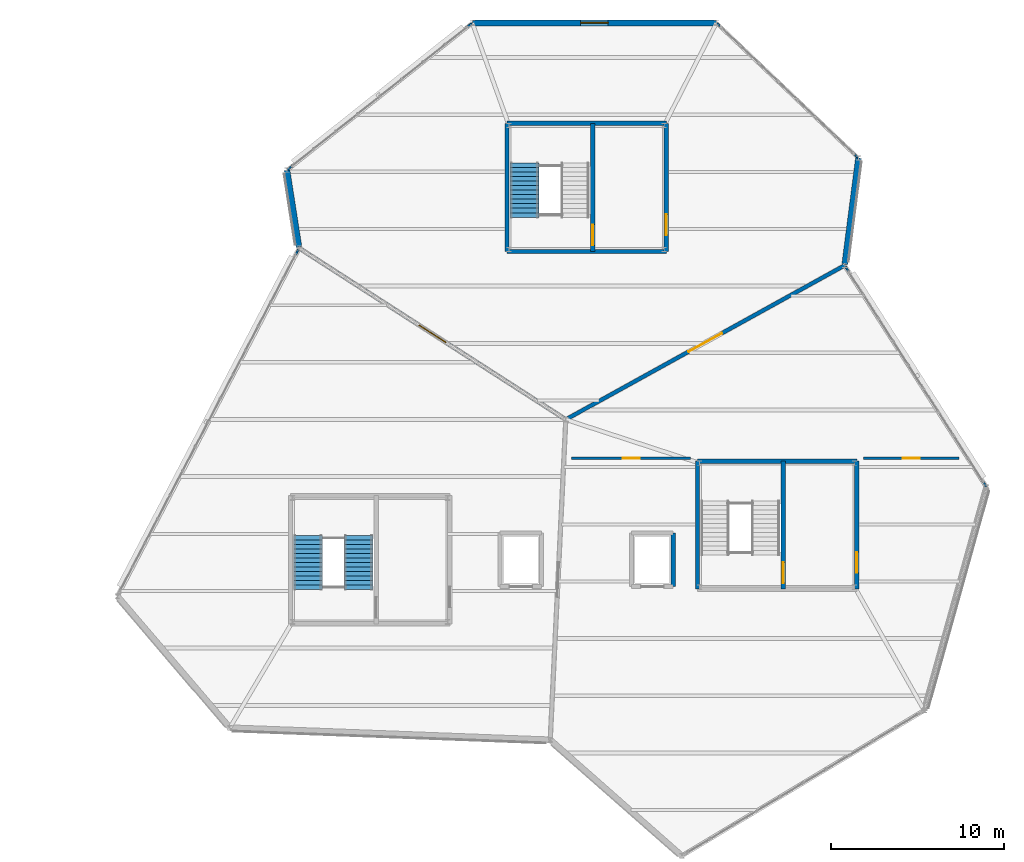
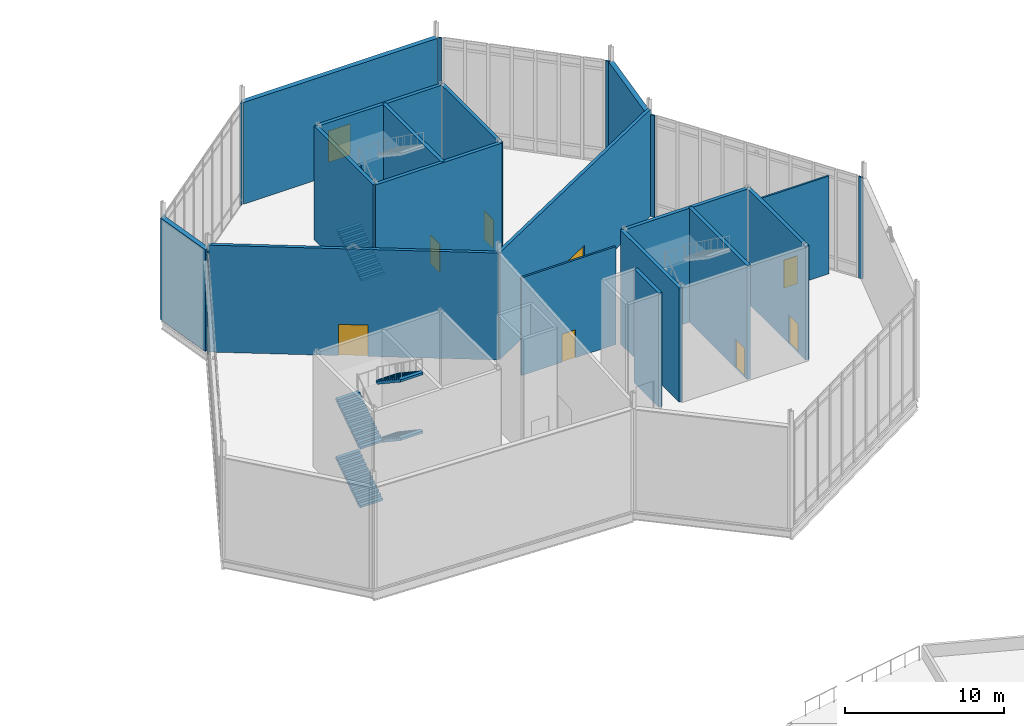
# One storey, part 60 of 66: 24 walls, 8 doors, 6 stair flights, 1 window, 9 openings, 2 elements without a shape of their own.
"""IFC4 building model written with IfcOpenShell, lengths in metres."""

from ifc_helpers import new_model, si_unit, direction, frame, frame_2d, origin, place, context, subcontext, project, spatial, polyline, rectangle, outline, extrude, material, layer, layer_set, type_object, element, fill, aggregate, save


model = new_model("IFC4")

# Units and contexts
model_context = context("Model", 3, precision=1e-05, world=origin(), true_north=direction((0.0, 1.0)))
body_context = subcontext(model_context, "Body", "Model", "MODEL_VIEW")
ifc_project = project(units=[si_unit("LENGTHUNIT", "METRE"), si_unit("AREAUNIT", "SQUARE_METRE"), si_unit("VOLUMEUNIT", "CUBIC_METRE"), si_unit("PLANEANGLEUNIT", "RADIAN"), si_unit("MASSUNIT", "GRAM", prefix="KILO")], contexts=[model_context])

# Site, building, storey
site_placement = place(None, origin())
site = spatial("IfcSite", under=ifc_project, at=site_placement, CompositionType="ELEMENT")
building_placement = place(site_placement, origin())
building = spatial("IfcBuilding", under=site, at=building_placement, Name="Tameran Prism Museum", CompositionType="ELEMENT")
storey_placement = place(building_placement, frame((0.0, 0.0, 19.800048828125)))
storey = spatial("IfcBuildingStorey", under=building, at=storey_placement, Name="L04", CompositionType="ELEMENT", Elevation=19.800048828125)

# Walls
ifc_material_1 = material(Name="Precast Concrete N40 (40 MPa)", Category="concrete")
ifc_layer_1 = layer(ifc_material_1, 0.094970703125)
ifc_layer_set_1 = layer_set([ifc_layer_1])
wall_type_1 = type_object("IfcWallType", Name="EW-CLOS-095", PredefinedType="SOLIDWALL", material=ifc_layer_set_1)
wall_1_placement = place(storey_placement, frame((103.2099609375, 98.636962890625, 0.0), z_axis=(0.0, 0.0, 1.0), x_axis=(0.464243799771, 0.885707454171, 0.0)))
element("IfcWall", 1, at=wall_1_placement, inside=storey, type_object=wall_type_1, Name="Facade Corner Closure EW-0421", PredefinedType="SOLIDWALL", context=body_context, shape_type="SweptSolid", body=[
    extrude(rectangle(XDim=0.30810546875, YDim=0.094970703125, at=frame_2d((0.154052734375, 0.0))), origin(), (0.0, 0.0, 1.0), 7.820068359375),
])
for number, where, z_axis, x_axis, name in (
    (2, (134.955078125, 97.9150390625, 0.0), (0.0, 0.0, 1.0), (0.538155087301, -0.842845835258, 0.0), "Facade Corner Closure EW-0427"),
    (3, (142.910888671875, 85.4951171875, 0.0), (0.0, 0.0, 1.0), (0.538155087301, -0.842845835258, 0.0), "Facade Corner Closure EW-0428"),
):
    element("IfcWall", number, at=place(storey_placement, frame(where, z_axis=z_axis, x_axis=x_axis)), inside=storey, type_object=wall_type_1, Name=name, PredefinedType="SOLIDWALL", context=body_context, shape_type="SweptSolid", body=[
        extrude(rectangle(XDim=0.30859375, YDim=0.094970703125, at=frame_2d((0.154296875, 0.0))), origin(), (0.0, 0.0, 1.0), 7.820068359375),
    ])
for number, where, z_axis, x_axis, name in (
    (4, (127.530029296875, 111.970947265625, 0.0), (0.0, 0.0, 1.0), (0.726243974232, -0.687437044311, 0.0), "Facade Corner Closure EW-0430"),
    (5, (135.446044921875, 104.44091796875, 0.0), (0.0, 0.0, 1.0), (0.726243974232, -0.687437044311, 0.0), "Facade Corner Closure EW-0431"),
    (6, (102.73291015625, 103.52587890625, 0.0), (0.0, 0.0, 1.0), (0.782180115256, 0.623052379257, 0.0), "Facade Corner Closure EW-0433"),
):
    element("IfcWall", number, at=place(storey_placement, frame(where, z_axis=z_axis, x_axis=x_axis)), inside=storey, type_object=wall_type_1, Name=name, PredefinedType="SOLIDWALL", context=body_context, shape_type="SweptSolid", body=[
        extrude(rectangle(XDim=0.308349609375, YDim=0.094970703125, at=frame_2d((0.154296875, 0.0))), origin(), (0.0, 0.0, 1.0), 7.820068359375),
    ])
wall_2_placement = place(storey_placement, frame((113.1259765625, 111.781982421875, 0.0), z_axis=(0.0, 0.0, 1.0), x_axis=(0.781872503851, 0.6234383592, 0.0)))
element("IfcWall", 7, at=wall_2_placement, inside=storey, type_object=wall_type_1, Name="Facade Corner Closure EW-0434", PredefinedType="SOLIDWALL", context=body_context, shape_type="SweptSolid", body=[
    extrude(rectangle(XDim=0.30810546875, YDim=0.094970703125, at=frame_2d((0.154052734375, 0.0))), origin(), (0.0, 0.0, 1.0), 7.820068359375),
])
ifc_material_2 = material(Name="Precast Concrete N40 (40 MPa)", Category="concrete")
ifc_layer_2 = layer(ifc_material_2, 0.340087890625)
ifc_layer_set_2 = layer_set([ifc_layer_2])
wall_type_2 = type_object("IfcWallType", Name="EW-GAL-340", PredefinedType="SOLIDWALL", material=ifc_layer_set_2)
wall_3_placement = place(storey_placement, frame((135.699951171875, 104.199951171875, 0.0), z_axis=(0.0, 0.0, 1.0), x_axis=(-0.127911284164, -0.99178561362, 0.0)))
element("IfcWall", 8, at=wall_3_placement, inside=storey, type_object=wall_type_2, Name="Exterior Fluted Precast Wall EW-0429", PredefinedType="SOLIDWALL", context=body_context, shape_type="SweptSolid", body=[
    extrude(rectangle(XDim=6.191650390625, YDim=0.340087890625, at=frame_2d((3.095703125, 0.0))), origin(), (0.0, 0.0, 1.0), 7.820068359375),
])

# Wall, opening, window
wall_4_placement = place(storey_placement, frame((113.39990234375, 112.0, 0.0), z_axis=(0.0, 0.0, 1.0), x_axis=(1.0, 0.0, 0.0)))
wall_4 = element("IfcWall", 9, at=wall_4_placement, inside=storey, type_object=wall_type_2, Name="Exterior Fluted Precast Wall EW-0432", PredefinedType="SOLIDWALL", context=body_context, shape_type="SweptSolid", body=[
    extrude(rectangle(XDim=14.10009765625, YDim=0.340087890625, at=frame_2d((7.050048828125, 0.0))), origin(), (0.0, 0.0, 1.0), 7.820068359375),
])
opening_1_placement = place(wall_4_placement, frame((6.25, 0.0, 0.949951171875)))
opening_1 = element("IfcOpeningElement", 10, at=opening_1_placement, cuts=wall_4, Name="Opening W-011", PredefinedType="OPENING", context=body_context, shape_type="SweptSolid", body=[
    extrude(rectangle(XDim=1.60009765625, YDim=2.39990234375, at=frame_2d((0.800048828125, 1.199951171875))), frame((0.0, 0.179931640625, 0.0), z_axis=(0.0, -1.0, 0.0), x_axis=(1.0, 0.0, 0.0)), (0.0, 0.0, 1.0), 0.360107421875),
])
ifc_material_3 = material(Name="Cyclone Laminated Low-E Glass in 6063-T6 Frame", Category="glass")
window_type = type_object("IfcWindowType", Name="WIN-W11", PartitioningType="SINGLE_PANEL", PredefinedType="WINDOW", material=ifc_material_3)
window_placement = place(opening_1_placement, origin())
window = element("IfcWindow", 11, at=window_placement, inside=storey, type_object=window_type, Name="Solar-Shaded Window W-011", OverallHeight=2.39990234375, OverallWidth=1.60009765625, PartitioningType="SINGLE_PANEL", PredefinedType="WINDOW", context=body_context, shape_type="SweptSolid", body=[
    extrude(rectangle(XDim=1.60009765625, YDim=2.39990234375, at=frame_2d((0.800048828125, 1.199951171875))), frame((0.0, 0.030029296875, 0.0), z_axis=(0.0, -1.0, 0.0), x_axis=(1.0, 0.0, 0.0)), (0.0, 0.0, 1.0), 0.06005859375),
])
fill(opening_1, window)

# Wall
wall_5_placement = place(storey_placement, frame((103.39111328125, 99.05908203125, 0.0), z_axis=(0.0, 0.0, 1.0), x_axis=(-0.153783616147, 0.988104548823, 0.0)))
element("IfcWall", 12, at=wall_5_placement, inside=storey, type_object=wall_type_2, Name="Exterior Fluted Precast Wall EW-0435", PredefinedType="SOLIDWALL", context=body_context, shape_type="SweptSolid", body=[
    extrude(rectangle(XDim=4.494384765625, YDim=0.340087890625, at=frame_2d((2.2470703125, 0.0))), origin(), (0.0, 0.0, 1.0), 7.820068359375),
])

# Wall, opening, door
ifc_material_4 = material(Name="Concrete N40 (40 MPa)", Category="concrete")
ifc_layer_3 = layer(ifc_material_4, 0.22509765625)
ifc_layer_set_3 = layer_set([ifc_layer_3])
wall_type_3 = type_object("IfcWallType", Name="IW-CMP-225", PredefinedType="SOLIDWALL", material=ifc_layer_set_3)
wall_6_placement = place(storey_placement, frame((118.800048828125, 89.10009765625, 0.0), z_axis=(0.0, 0.0, 1.0), x_axis=(-0.841183241423, 0.540750177392, 0.0)))
wall_6 = element("IfcWall", 13, at=wall_6_placement, inside=storey, type_object=wall_type_3, Name="Compartment Wall IW-0153", PredefinedType="SOLIDWALL", context=body_context, shape_type="SweptSolid", body=[
    extrude(rectangle(XDim=18.3076171875, YDim=0.22509765625, at=frame_2d((9.15380859375, 0.0))), origin(), (0.0, 0.0, 1.0), 8.219970703125),
])
opening_2_placement = place(wall_6_placement, frame((8.22900390625, 0.0, 0.0)))
opening_2 = element("IfcOpeningElement", 14, at=opening_2_placement, cuts=wall_6, Name="Opening ID-0152", PredefinedType="OPENING", context=body_context, shape_type="SweptSolid", body=[
    extrude(rectangle(XDim=1.85009765625, YDim=2.39990234375, at=frame_2d((0.925048828125, 1.199951171875))), frame((0.0, 0.12255859375, 0.0), z_axis=(0.0, -1.0, 0.0), x_axis=(1.0, 0.0, 0.0)), (0.0, 0.0, 1.0), 0.2451171875),
])
ifc_material_5 = material(Name="Fire-Rated Steel Door Leaf and Frame", Category="steel")
door_type_1 = type_object("IfcDoorType", Name="DR-GAL-185", OperationType="DOUBLE_DOOR_SINGLE_SWING", PredefinedType="DOOR", material=ifc_material_5)
door_1_placement = place(opening_2_placement, origin())
door_1 = element("IfcDoor", 15, at=door_1_placement, inside=storey, type_object=door_type_1, Name="Compartment Door ID-0152", OperationType="DOUBLE_DOOR_SINGLE_SWING", OverallHeight=2.39990234375, OverallWidth=1.85009765625, PredefinedType="DOOR", context=body_context, shape_type="SweptSolid", body=[
    extrude(rectangle(XDim=1.85009765625, YDim=2.39990234375, at=frame_2d((0.925048828125, 1.199951171875))), frame((0.0, 0.02490234375, 0.0), z_axis=(0.0, -1.0, 0.0), x_axis=(1.0, 0.0, 0.0)), (0.0, 0.0, 1.0), 0.050048828125),
])
fill(opening_2, door_1)

wall_7_placement = place(storey_placement, frame((134.89990234375, 98.0, 0.0), z_axis=(0.0, 0.0, 1.0), x_axis=(-0.875181353329, -0.483794996652, 0.0)))
wall_7 = element("IfcWall", 16, at=wall_7_placement, inside=storey, type_object=wall_type_3, Name="Compartment Wall IW-0154", PredefinedType="SOLIDWALL", context=body_context, shape_type="SweptSolid", body=[
    extrude(rectangle(XDim=18.39599609375, YDim=0.22509765625, at=frame_2d((9.197998046875, 0.0))), origin(), (0.0, 0.0, 1.0), 8.219970703125),
])
opening_3_placement = place(wall_7_placement, frame((8.097900390625, 0.0, 0.0)))
opening_3 = element("IfcOpeningElement", 17, at=opening_3_placement, cuts=wall_7, Name="Opening ID-0153", PredefinedType="OPENING", context=body_context, shape_type="SweptSolid", body=[
    extrude(rectangle(XDim=2.199951171875, YDim=2.60009765625, at=frame_2d((1.10009765625, 1.300048828125))), frame((0.0, 0.12255859375, 0.0), z_axis=(0.0, -1.0, 0.0), x_axis=(1.0, 0.0, 0.0)), (0.0, 0.0, 1.0), 0.2451171875),
])
ifc_material_6 = material(Name="Fire-Rated Steel Door Leaf and Frame", Category="steel")
door_type_2 = type_object("IfcDoorType", Name="DR-GAL-220", OperationType="DOUBLE_DOOR_SINGLE_SWING", PredefinedType="DOOR", material=ifc_material_6)
door_2_placement = place(opening_3_placement, origin())
door_2 = element("IfcDoor", 18, at=door_2_placement, inside=storey, type_object=door_type_2, Name="Compartment Door ID-0153", OperationType="DOUBLE_DOOR_SINGLE_SWING", OverallHeight=2.60009765625, OverallWidth=2.199951171875, PredefinedType="DOOR", context=body_context, shape_type="SweptSolid", body=[
    extrude(rectangle(XDim=2.199951171875, YDim=2.60009765625, at=frame_2d((1.10009765625, 1.300048828125))), frame((0.0, 0.02490234375, 0.0), z_axis=(0.0, -1.0, 0.0), x_axis=(1.0, 0.0, 0.0)), (0.0, 0.0, 1.0), 0.050048828125),
])
fill(opening_3, door_2)

# Walls
ifc_material_7 = material(Name="Concrete N40 (40 MPa)", Category="concrete")
ifc_layer_4 = layer(ifc_material_7, 0.25)
ifc_layer_set_4 = layer_set([ifc_layer_4])
wall_type_4 = type_object("IfcWallType", Name="IW-COR-250", PredefinedType="SHEAR", material=ifc_layer_set_4)
wall_8_placement = place(storey_placement, frame((126.39990234375, 79.300048828125, 0.0), z_axis=(0.0, 0.0, 1.0), x_axis=(0.0, 1.0, 0.0)))
element("IfcWall", 19, at=wall_8_placement, inside=storey, type_object=wall_type_4, Name="Core Shear Wall CW-2-L04-W", PredefinedType="SHEAR", context=body_context, shape_type="SweptSolid", body=[
    extrude(rectangle(XDim=7.39990234375, YDim=0.25, at=frame_2d((3.699951171875, 0.0))), origin(), (0.0, 0.0, 1.0), 8.760009765625),
])
wall_9_placement = place(storey_placement, frame((126.39990234375, 86.699951171875, 0.0), z_axis=(0.0, 0.0, 1.0), x_axis=(1.0, 0.0, 0.0)))
element("IfcWall", 20, at=wall_9_placement, inside=storey, type_object=wall_type_4, Name="Core Shear Wall CW-2-L04-N", PredefinedType="SHEAR", context=body_context, shape_type="SweptSolid", body=[
    extrude(rectangle(XDim=9.2001953125, YDim=0.25, at=frame_2d((4.60009765625, 0.0))), origin(), (0.0, 0.0, 1.0), 8.760009765625),
])

# Wall, opening, door
wall_10_placement = place(storey_placement, frame((135.60009765625, 86.699951171875, 0.0), z_axis=(0.0, 0.0, 1.0), x_axis=(0.0, -1.0, 0.0)))
wall_10 = element("IfcWall", 21, at=wall_10_placement, inside=storey, type_object=wall_type_4, Name="Core Shear Wall CW-2-L04-E", PredefinedType="SHEAR", context=body_context, shape_type="SweptSolid", body=[
    extrude(rectangle(XDim=7.39990234375, YDim=0.25, at=frame_2d((3.699951171875, 0.0))), origin(), (0.0, 0.0, 1.0), 8.760009765625),
])
opening_4_placement = place(wall_10_placement, frame((5.25, 0.0, 0.0)))
opening_4 = element("IfcOpeningElement", 22, at=opening_4_placement, cuts=wall_10, Name="Opening FD-0193", PredefinedType="OPENING", context=body_context, shape_type="SweptSolid", body=[
    extrude(rectangle(XDim=1.199951171875, YDim=2.199951171875, at=frame_2d((0.60009765625, 1.10009765625))), frame((0.0, 0.135009765625, 0.0), z_axis=(0.0, -1.0, 0.0), x_axis=(1.0, 0.0, 0.0)), (0.0, 0.0, 1.0), 0.27001953125),
])
ifc_material_8 = material(Name="Fire-Rated Steel Door Leaf and Frame", Category="steel")
door_type_3 = type_object("IfcDoorType", Name="DR-FD-120A", OperationType="NOTDEFINED", PredefinedType="DOOR", material=ifc_material_8)
door_3_placement = place(opening_4_placement, origin())
door_3 = element("IfcDoor", 23, at=door_3_placement, inside=storey, type_object=door_type_3, Name="Core Fire Door FD-0193", OperationType="SINGLE_SWING_LEFT", OverallHeight=2.199951171875, OverallWidth=1.199951171875, PredefinedType="DOOR", context=body_context, shape_type="SweptSolid", body=[
    extrude(rectangle(XDim=1.199951171875, YDim=2.199951171875, at=frame_2d((0.60009765625, 1.10009765625))), frame((0.0, 0.02490234375, 0.0), z_axis=(0.0, -1.0, 0.0), x_axis=(1.0, 0.0, 0.0)), (0.0, 0.0, 1.0), 0.050048828125),
])
fill(opening_4, door_3)

wall_11_placement = place(storey_placement, frame((131.35009765625, 86.699951171875, 0.0), z_axis=(0.0, 0.0, 1.0), x_axis=(0.0, -1.0, 0.0)))
wall_11 = element("IfcWall", 24, at=wall_11_placement, inside=storey, type_object=wall_type_4, Name="Core Shear Wall CW-2-L04-M", PredefinedType="SHEAR", context=body_context, shape_type="SweptSolid", body=[
    extrude(rectangle(XDim=7.39990234375, YDim=0.25, at=frame_2d((3.699951171875, 0.0))), origin(), (0.0, 0.0, 1.0), 8.760009765625),
])
opening_5_placement = place(wall_11_placement, frame((5.85009765625, 0.0, 0.0)))
opening_5 = element("IfcOpeningElement", 25, at=opening_5_placement, cuts=wall_11, Name="Opening FD-0194", PredefinedType="OPENING", context=body_context, shape_type="SweptSolid", body=[
    extrude(rectangle(XDim=1.199951171875, YDim=2.199951171875, at=frame_2d((0.60009765625, 1.10009765625))), frame((0.0, 0.135009765625, 0.0), z_axis=(0.0, -1.0, 0.0), x_axis=(1.0, 0.0, 0.0)), (0.0, 0.0, 1.0), 0.27001953125),
])
door_4_placement = place(opening_5_placement, origin())
door_4 = element("IfcDoor", 26, at=door_4_placement, inside=storey, type_object=door_type_3, Name="Core Fire Door FD-0194", OperationType="SINGLE_SWING_RIGHT", OverallHeight=2.199951171875, OverallWidth=1.199951171875, PredefinedType="DOOR", context=body_context, shape_type="SweptSolid", body=[
    extrude(rectangle(XDim=1.199951171875, YDim=2.199951171875, at=frame_2d((0.60009765625, 1.10009765625))), frame((0.0, 0.02490234375, 0.0), z_axis=(0.0, -1.0, 0.0), x_axis=(1.0, 0.0, 0.0)), (0.0, 0.0, 1.0), 0.050048828125),
])
fill(opening_5, door_4)

# Walls
wall_12_placement = place(storey_placement, frame((115.39990234375, 98.800048828125, 0.0), z_axis=(0.0, 0.0, 1.0), x_axis=(0.0, 1.0, 0.0)))
element("IfcWall", 27, at=wall_12_placement, inside=storey, type_object=wall_type_4, Name="Core Shear Wall CW-7-L04-W", PredefinedType="SHEAR", context=body_context, shape_type="SweptSolid", body=[
    extrude(rectangle(XDim=7.39990234375, YDim=0.25, at=frame_2d((3.699951171875, 0.0))), origin(), (0.0, 0.0, 1.0), 8.760009765625),
])
for number, where, z_axis, x_axis, name in (
    (28, (115.39990234375, 106.199951171875, 0.0), (0.0, 0.0, 1.0), (1.0, 0.0, 0.0), "Core Shear Wall CW-7-L04-N"),
    (29, (124.60009765625, 98.800048828125, 0.0), (0.0, 0.0, 1.0), (-1.0, 0.0, 0.0), "Core Shear Wall CW-7-L04-S"),
):
    element("IfcWall", number, at=place(storey_placement, frame(where, z_axis=z_axis, x_axis=x_axis)), inside=storey, type_object=wall_type_4, Name=name, PredefinedType="SHEAR", context=body_context, shape_type="SweptSolid", body=[
        extrude(rectangle(XDim=9.2001953125, YDim=0.25, at=frame_2d((4.60009765625, 0.0))), origin(), (0.0, 0.0, 1.0), 8.760009765625),
    ])

# Wall, opening, door
wall_13_placement = place(storey_placement, frame((124.60009765625, 106.199951171875, 0.0), z_axis=(0.0, 0.0, 1.0), x_axis=(0.0, -1.0, 0.0)))
wall_13 = element("IfcWall", 30, at=wall_13_placement, inside=storey, type_object=wall_type_4, Name="Core Shear Wall CW-7-L04-E", PredefinedType="SHEAR", context=body_context, shape_type="SweptSolid", body=[
    extrude(rectangle(XDim=7.39990234375, YDim=0.25, at=frame_2d((3.699951171875, 0.0))), origin(), (0.0, 0.0, 1.0), 8.760009765625),
])
opening_6_placement = place(wall_13_placement, frame((5.25, 0.0, 0.0)))
opening_6 = element("IfcOpeningElement", 31, at=opening_6_placement, cuts=wall_13, Name="Opening FD-0207", PredefinedType="OPENING", context=body_context, shape_type="SweptSolid", body=[
    extrude(rectangle(XDim=1.199951171875, YDim=2.199951171875, at=frame_2d((0.60009765625, 1.10009765625))), frame((0.0, 0.135009765625, 0.0), z_axis=(0.0, -1.0, 0.0), x_axis=(1.0, 0.0, 0.0)), (0.0, 0.0, 1.0), 0.27001953125),
])
door_5_placement = place(opening_6_placement, origin())
door_5 = element("IfcDoor", 32, at=door_5_placement, inside=storey, type_object=door_type_3, Name="Core Fire Door FD-0207", OperationType="SINGLE_SWING_LEFT", OverallHeight=2.199951171875, OverallWidth=1.199951171875, PredefinedType="DOOR", context=body_context, shape_type="SweptSolid", body=[
    extrude(rectangle(XDim=1.199951171875, YDim=2.199951171875, at=frame_2d((0.60009765625, 1.10009765625))), frame((0.0, 0.02490234375, 0.0), z_axis=(0.0, -1.0, 0.0), x_axis=(1.0, 0.0, 0.0)), (0.0, 0.0, 1.0), 0.050048828125),
])
fill(opening_6, door_5)

wall_14_placement = place(storey_placement, frame((120.35009765625, 106.199951171875, 0.0), z_axis=(0.0, 0.0, 1.0), x_axis=(0.0, -1.0, 0.0)))
wall_14 = element("IfcWall", 33, at=wall_14_placement, inside=storey, type_object=wall_type_4, Name="Core Shear Wall CW-7-L04-M", PredefinedType="SHEAR", context=body_context, shape_type="SweptSolid", body=[
    extrude(rectangle(XDim=7.39990234375, YDim=0.25, at=frame_2d((3.699951171875, 0.0))), origin(), (0.0, 0.0, 1.0), 8.760009765625),
])
opening_7_placement = place(wall_14_placement, frame((5.85009765625, 0.0, 0.0)))
opening_7 = element("IfcOpeningElement", 34, at=opening_7_placement, cuts=wall_14, Name="Opening FD-0208", PredefinedType="OPENING", context=body_context, shape_type="SweptSolid", body=[
    extrude(rectangle(XDim=1.199951171875, YDim=2.199951171875, at=frame_2d((0.60009765625, 1.10009765625))), frame((0.0, 0.135009765625, 0.0), z_axis=(0.0, -1.0, 0.0), x_axis=(1.0, 0.0, 0.0)), (0.0, 0.0, 1.0), 0.27001953125),
])
door_6_placement = place(opening_7_placement, origin())
door_6 = element("IfcDoor", 35, at=door_6_placement, inside=storey, type_object=door_type_3, Name="Core Fire Door FD-0208", OperationType="SINGLE_SWING_RIGHT", OverallHeight=2.199951171875, OverallWidth=1.199951171875, PredefinedType="DOOR", context=body_context, shape_type="SweptSolid", body=[
    extrude(rectangle(XDim=1.199951171875, YDim=2.199951171875, at=frame_2d((0.60009765625, 1.10009765625))), frame((0.0, 0.02490234375, 0.0), z_axis=(0.0, -1.0, 0.0), x_axis=(1.0, 0.0, 0.0)), (0.0, 0.0, 1.0), 0.050048828125),
])
fill(opening_7, door_6)

# Wall
ifc_material_9 = material(Name="Concrete N40 (40 MPa)", Category="concrete")
ifc_layer_5 = layer(ifc_material_9, 0.239990234375)
ifc_layer_set_5 = layer_set([ifc_layer_5])
wall_type_5 = type_object("IfcWallType", Name="IW-LFT-240", PredefinedType="SHEAR", material=ifc_layer_set_5)
wall_15_placement = place(storey_placement, frame((125.0, 82.550048828125, 0.0), z_axis=(0.0, 0.0, 1.0), x_axis=(0.0, -1.0, 0.0)))
element("IfcWall", 36, at=wall_15_placement, inside=storey, type_object=wall_type_5, Name="Lift Shaft Wall LW-EL02-L04E", PredefinedType="SHEAR", context=body_context, shape_type="SweptSolid", body=[
    extrude(rectangle(XDim=3.10009765625, YDim=0.239990234375, at=frame_2d((1.550048828125, 0.0))), origin(), (0.0, 0.0, 1.0), 8.760009765625),
])

# Wall, opening, door
ifc_material_10 = material(Name="Wet-Area Fibre-Cement Stud Partition")
ifc_layer_6 = layer(ifc_material_10, 0.1298828125)
ifc_layer_set_6 = layer_set([ifc_layer_6])
wall_type_6 = type_object("IfcWallType", Name="IW-PRT-130", PredefinedType="PARTITIONING", material=ifc_layer_set_6)
wall_16_placement = place(storey_placement, frame((136.0, 86.85888671875, 0.0), z_axis=(0.0, 0.0, 1.0), x_axis=(1.0, 0.0, 0.0)))
wall_16 = element("IfcWall", 37, at=wall_16_placement, inside=storey, type_object=wall_type_6, Name="Internal Partition PT-0157", PredefinedType="PARTITIONING", context=body_context, shape_type="SweptSolid", body=[
    extrude(rectangle(XDim=5.5029296875, YDim=0.1298828125, at=frame_2d((2.75146484375, 0.0))), origin(), (0.0, 0.0, 1.0), 7.52001953125),
])
opening_8_placement = place(wall_16_placement, frame((2.260986328125, 0.0, 0.0)))
opening_8 = element("IfcOpeningElement", 38, at=opening_8_placement, cuts=wall_16, Name="Opening ID-0156", PredefinedType="OPENING", context=body_context, shape_type="SweptSolid", body=[
    extrude(rectangle(XDim=0.97998046875, YDim=2.14990234375, at=frame_2d((0.489990234375, 1.074951171875))), frame((0.0, 0.074951171875, 0.0), z_axis=(0.0, -1.0, 0.0), x_axis=(1.0, 0.0, 0.0)), (0.0, 0.0, 1.0), 0.14990234375),
])
ifc_material_11 = material(Name="Acoustic Solid-Core Timber Door", Category="wood")
door_type_4 = type_object("IfcDoorType", Name="DR-INT-098", OperationType="NOTDEFINED", PredefinedType="DOOR", material=ifc_material_11)
door_7_placement = place(opening_8_placement, origin())
door_7 = element("IfcDoor", 39, at=door_7_placement, inside=storey, type_object=door_type_4, Name="Interior Room Door ID-0156", OperationType="SINGLE_SWING_LEFT", OverallHeight=2.14990234375, OverallWidth=0.97998046875, PredefinedType="DOOR", context=body_context, shape_type="SweptSolid", body=[
    extrude(rectangle(XDim=0.97998046875, YDim=2.14990234375, at=frame_2d((0.489990234375, 1.074951171875))), frame((0.0, 0.02490234375, 0.0), z_axis=(0.0, -1.0, 0.0), x_axis=(1.0, 0.0, 0.0)), (0.0, 0.0, 1.0), 0.050048828125),
])
fill(opening_8, door_7)

ifc_material_12 = material(Name="Acoustic Seminar Stud Partition")
ifc_layer_7 = layer(ifc_material_12, 0.139892578125)
ifc_layer_set_7 = layer_set([ifc_layer_7])
wall_type_7 = type_object("IfcWallType", Name="IW-PRT-140", PredefinedType="PARTITIONING", material=ifc_layer_set_7)
wall_17_placement = place(storey_placement, frame((119.14208984375, 86.85888671875, 0.0), z_axis=(0.0, 0.0, 1.0), x_axis=(1.0, 0.0, 0.0)))
wall_17 = element("IfcWall", 40, at=wall_17_placement, inside=storey, type_object=wall_type_7, Name="Internal Partition PT-0156", PredefinedType="PARTITIONING", context=body_context, shape_type="SweptSolid", body=[
    extrude(rectangle(XDim=6.85791015625, YDim=0.139892578125, at=frame_2d((3.428955078125, 0.0))), origin(), (0.0, 0.0, 1.0), 7.52001953125),
])
opening_9_placement = place(wall_17_placement, frame((2.93896484375, 0.0, 0.0)))
opening_9 = element("IfcOpeningElement", 41, at=opening_9_placement, cuts=wall_17, Name="Opening ID-0155", PredefinedType="OPENING", context=body_context, shape_type="SweptSolid", body=[
    extrude(rectangle(XDim=0.97998046875, YDim=2.14990234375, at=frame_2d((0.489990234375, 1.074951171875))), frame((0.0, 0.079833984375, 0.0), z_axis=(0.0, -1.0, 0.0), x_axis=(1.0, 0.0, 0.0)), (0.0, 0.0, 1.0), 0.159912109375),
])
door_8_placement = place(opening_9_placement, origin())
door_8 = element("IfcDoor", 42, at=door_8_placement, inside=storey, type_object=door_type_4, Name="Interior Room Door ID-0155", OperationType="SINGLE_SWING_RIGHT", OverallHeight=2.14990234375, OverallWidth=0.97998046875, PredefinedType="DOOR", context=body_context, shape_type="SweptSolid", body=[
    extrude(rectangle(XDim=0.97998046875, YDim=2.14990234375, at=frame_2d((0.489990234375, 1.074951171875))), frame((0.0, 0.02490234375, 0.0), z_axis=(0.0, -1.0, 0.0), x_axis=(1.0, 0.0, 0.0)), (0.0, 0.0, 1.0), 0.050048828125),
])
fill(opening_9, door_8)

# Stair, stair flights
ifc_material_13 = material(Name="Concrete N40 (40 MPa)", Category="concrete")
stair_type = type_object("IfcStairType", Name="ST-CORE-90", PredefinedType="HALF_TURN_STAIR", material=ifc_material_13)
stair_1_placement = place(storey_placement, origin())
stair_1 = element("IfcStair", 43, at=stair_1_placement, inside=storey, type_object=stair_type, Name="Fire-Isolated Stair ST-01-L04", PredefinedType="HALF_TURN_STAIR")
ifc_material_14 = material(Name="Concrete N40 (40 MPa)", Category="concrete")
stair_flight_type = type_object("IfcStairFlightType", Name="SF-RC-165", PredefinedType="STRAIGHT", material=ifc_material_14)
stair_flight_1_placement = place(storey_placement, frame((103.9150390625, 79.280029296875, 0.0), z_axis=(0.0, 0.0, 1.0), x_axis=(0.0, 1.0, 0.0)))
stair_flight_1 = element("IfcStairFlight", 44, at=stair_flight_1_placement, type_object=stair_flight_type, Name="ST-01-L04 flight 1", NumberOfRisers=13, NumberOfTreads=12, PredefinedType="STRAIGHT", RiserHeight=0.173077, TreadLength=0.26, context=body_context, shape_type="SweptSolid", body=[
    extrude(outline(polyline([(0.0, 0.0), (0.0, 0.173095703125), (0.260009765625, 0.173095703125), (0.260009765625, 0.34619140625), (0.52001953125, 0.34619140625), (0.52001953125, 0.519287109375), (0.780029296875, 0.519287109375), (0.780029296875, 0.6923828125), (1.0400390625, 0.6923828125), (1.0400390625, 0.865478515625), (1.300048828125, 0.865478515625), (1.300048828125, 1.03857421875), (1.56005859375, 1.03857421875), (1.56005859375, 1.21142578125), (1.820068359375, 1.21142578125), (1.820068359375, 1.384521484375), (2.080078125, 1.384521484375), (2.080078125, 1.5576171875), (2.340087890625, 1.5576171875), (2.340087890625, 1.730712890625), (2.60009765625, 1.730712890625), (2.60009765625, 1.90380859375), (2.860107421875, 1.90380859375), (2.860107421875, 2.076904296875), (3.1201171875, 2.076904296875), (3.1201171875, 2.25), (3.1201171875, 1.896728515625), (0.2705078125, 0.0), (0.0, 0.0)])), frame((0.0, 0.824951171875, 0.0), z_axis=(0.0, -1.0, 0.0), x_axis=(1.0, 0.0, 0.0)), (0.0, 0.0, 1.0), 1.64990234375),
])
stair_flight_2_placement = place(storey_placement, frame((106.8349609375, 82.39990234375, 2.25), z_axis=(0.0, 0.0, 1.0), x_axis=(0.0, -1.0, 0.0)))
stair_flight_2 = element("IfcStairFlight", 45, at=stair_flight_2_placement, type_object=stair_flight_type, Name="ST-01-L04 flight 2", NumberOfRisers=13, NumberOfTreads=12, PredefinedType="STRAIGHT", RiserHeight=0.173077, TreadLength=0.26, context=body_context, shape_type="SweptSolid", body=[
    extrude(outline(polyline([(0.0, 0.0), (0.0, 0.173095703125), (0.260009765625, 0.173095703125), (0.260009765625, 0.34619140625), (0.52001953125, 0.34619140625), (0.52001953125, 0.519287109375), (0.780029296875, 0.519287109375), (0.780029296875, 0.6923828125), (1.0400390625, 0.6923828125), (1.0400390625, 0.865478515625), (1.300048828125, 0.865478515625), (1.300048828125, 1.03857421875), (1.56005859375, 1.03857421875), (1.56005859375, 1.21142578125), (1.820068359375, 1.21142578125), (1.820068359375, 1.384521484375), (2.080078125, 1.384521484375), (2.080078125, 1.5576171875), (2.340087890625, 1.5576171875), (2.340087890625, 1.730712890625), (2.60009765625, 1.730712890625), (2.60009765625, 1.90380859375), (2.860107421875, 1.90380859375), (2.860107421875, 2.076904296875), (3.1201171875, 2.076904296875), (3.1201171875, 2.25), (3.1201171875, 1.896728515625), (0.2705078125, 0.0), (0.0, 0.0)])), frame((0.0, 0.824951171875, 0.0), z_axis=(0.0, -1.0, 0.0), x_axis=(1.0, 0.0, 0.0)), (0.0, 0.0, 1.0), 1.64990234375),
])
stair_flight_3_placement = place(storey_placement, frame((103.9150390625, 79.280029296875, 4.5), z_axis=(0.0, 0.0, 1.0), x_axis=(0.0, 1.0, 0.0)))
stair_flight_3 = element("IfcStairFlight", 46, at=stair_flight_3_placement, type_object=stair_flight_type, Name="ST-01-L04 flight 3", NumberOfRisers=13, NumberOfTreads=12, PredefinedType="STRAIGHT", RiserHeight=0.173077, TreadLength=0.26, context=body_context, shape_type="SweptSolid", body=[
    extrude(outline(polyline([(0.0, 0.0), (0.0, 0.173095703125), (0.260009765625, 0.173095703125), (0.260009765625, 0.34619140625), (0.52001953125, 0.34619140625), (0.52001953125, 0.519287109375), (0.780029296875, 0.519287109375), (0.780029296875, 0.6923828125), (1.0400390625, 0.6923828125), (1.0400390625, 0.865478515625), (1.300048828125, 0.865478515625), (1.300048828125, 1.03857421875), (1.56005859375, 1.03857421875), (1.56005859375, 1.21142578125), (1.820068359375, 1.21142578125), (1.820068359375, 1.384521484375), (2.080078125, 1.384521484375), (2.080078125, 1.5576171875), (2.340087890625, 1.5576171875), (2.340087890625, 1.730712890625), (2.60009765625, 1.730712890625), (2.60009765625, 1.90380859375), (2.860107421875, 1.90380859375), (2.860107421875, 2.076904296875), (3.1201171875, 2.076904296875), (3.1201171875, 2.25), (3.1201171875, 1.896728515625), (0.2705078125, 0.0), (0.0, 0.0)])), frame((0.0, 0.824951171875, 0.0), z_axis=(0.0, -1.0, 0.0), x_axis=(1.0, 0.0, 0.0)), (0.0, 0.0, 1.0), 1.64990234375),
])
stair_flight_4_placement = place(storey_placement, frame((106.8349609375, 82.39990234375, 6.75), z_axis=(0.0, 0.0, 1.0), x_axis=(0.0, -1.0, 0.0)))
stair_flight_4 = element("IfcStairFlight", 47, at=stair_flight_4_placement, type_object=stair_flight_type, Name="ST-01-L04 flight 4", NumberOfRisers=13, NumberOfTreads=12, PredefinedType="STRAIGHT", RiserHeight=0.173077, TreadLength=0.26, context=body_context, shape_type="SweptSolid", body=[
    extrude(outline(polyline([(0.0, 0.0), (0.0, 0.173095703125), (0.260009765625, 0.173095703125), (0.260009765625, 0.34619140625), (0.52001953125, 0.34619140625), (0.52001953125, 0.519287109375), (0.780029296875, 0.519287109375), (0.780029296875, 0.6923828125), (1.0400390625, 0.6923828125), (1.0400390625, 0.865478515625), (1.300048828125, 0.865478515625), (1.300048828125, 1.03857421875), (1.56005859375, 1.03857421875), (1.56005859375, 1.21142578125), (1.820068359375, 1.21142578125), (1.820068359375, 1.384521484375), (2.080078125, 1.384521484375), (2.080078125, 1.5576171875), (2.340087890625, 1.5576171875), (2.340087890625, 1.730712890625), (2.60009765625, 1.730712890625), (2.60009765625, 1.90380859375), (2.860107421875, 1.90380859375), (2.860107421875, 2.076904296875), (3.1201171875, 2.076904296875), (3.1201171875, 2.25), (3.1201171875, 1.896728515625), (0.2705078125, 0.0), (0.0, 0.0)])), frame((0.0, 0.824951171875, 0.0), z_axis=(0.0, -1.0, 0.0), x_axis=(1.0, 0.0, 0.0)), (0.0, 0.0, 1.0), 1.64990234375),
])
aggregate(stair_1, [stair_flight_1, stair_flight_2, stair_flight_3, stair_flight_4])

stair_2_placement = place(storey_placement, origin())
stair_2 = element("IfcStair", 48, at=stair_2_placement, inside=storey, type_object=stair_type, Name="Fire-Isolated Stair ST-07-L04", PredefinedType="HALF_TURN_STAIR")
stair_flight_5_placement = place(storey_placement, frame((116.4150390625, 100.780029296875, 0.0), z_axis=(0.0, 0.0, 1.0), x_axis=(0.0, 1.0, 0.0)))
stair_flight_5 = element("IfcStairFlight", 49, at=stair_flight_5_placement, type_object=stair_flight_type, Name="ST-07-L04 flight 1", NumberOfRisers=13, NumberOfTreads=12, PredefinedType="STRAIGHT", RiserHeight=0.173077, TreadLength=0.26, context=body_context, shape_type="SweptSolid", body=[
    extrude(outline(polyline([(0.0, 0.0), (0.0, 0.173095703125), (0.260009765625, 0.173095703125), (0.260009765625, 0.34619140625), (0.52001953125, 0.34619140625), (0.52001953125, 0.519287109375), (0.780029296875, 0.519287109375), (0.780029296875, 0.6923828125), (1.0400390625, 0.6923828125), (1.0400390625, 0.865478515625), (1.300048828125, 0.865478515625), (1.300048828125, 1.03857421875), (1.56005859375, 1.03857421875), (1.56005859375, 1.21142578125), (1.820068359375, 1.21142578125), (1.820068359375, 1.384521484375), (2.080078125, 1.384521484375), (2.080078125, 1.5576171875), (2.340087890625, 1.5576171875), (2.340087890625, 1.730712890625), (2.60009765625, 1.730712890625), (2.60009765625, 1.90380859375), (2.860107421875, 1.90380859375), (2.860107421875, 2.076904296875), (3.1201171875, 2.076904296875), (3.1201171875, 2.25), (3.1201171875, 1.896728515625), (0.2705078125, 0.0), (0.0, 0.0)])), frame((0.0, 0.824951171875, 0.0), z_axis=(0.0, -1.0, 0.0), x_axis=(1.0, 0.0, 0.0)), (0.0, 0.0, 1.0), 1.64990234375),
])
stair_flight_6_placement = place(storey_placement, frame((116.4150390625, 100.780029296875, 4.5), z_axis=(0.0, 0.0, 1.0), x_axis=(0.0, 1.0, 0.0)))
stair_flight_6 = element("IfcStairFlight", 50, at=stair_flight_6_placement, type_object=stair_flight_type, Name="ST-07-L04 flight 3", NumberOfRisers=13, NumberOfTreads=12, PredefinedType="STRAIGHT", RiserHeight=0.173077, TreadLength=0.26, context=body_context, shape_type="SweptSolid", body=[
    extrude(outline(polyline([(0.0, 0.0), (0.0, 0.173095703125), (0.260009765625, 0.173095703125), (0.260009765625, 0.34619140625), (0.52001953125, 0.34619140625), (0.52001953125, 0.519287109375), (0.780029296875, 0.519287109375), (0.780029296875, 0.6923828125), (1.0400390625, 0.6923828125), (1.0400390625, 0.865478515625), (1.300048828125, 0.865478515625), (1.300048828125, 1.03857421875), (1.56005859375, 1.03857421875), (1.56005859375, 1.21142578125), (1.820068359375, 1.21142578125), (1.820068359375, 1.384521484375), (2.080078125, 1.384521484375), (2.080078125, 1.5576171875), (2.340087890625, 1.5576171875), (2.340087890625, 1.730712890625), (2.60009765625, 1.730712890625), (2.60009765625, 1.90380859375), (2.860107421875, 1.90380859375), (2.860107421875, 2.076904296875), (3.1201171875, 2.076904296875), (3.1201171875, 2.25), (3.1201171875, 1.896728515625), (0.2705078125, 0.0), (0.0, 0.0)])), frame((0.0, 0.824951171875, 0.0), z_axis=(0.0, -1.0, 0.0), x_axis=(1.0, 0.0, 0.0)), (0.0, 0.0, 1.0), 1.64990234375),
])
aggregate(stair_2, [stair_flight_5, stair_flight_6])

save(model, "model.ifc")
